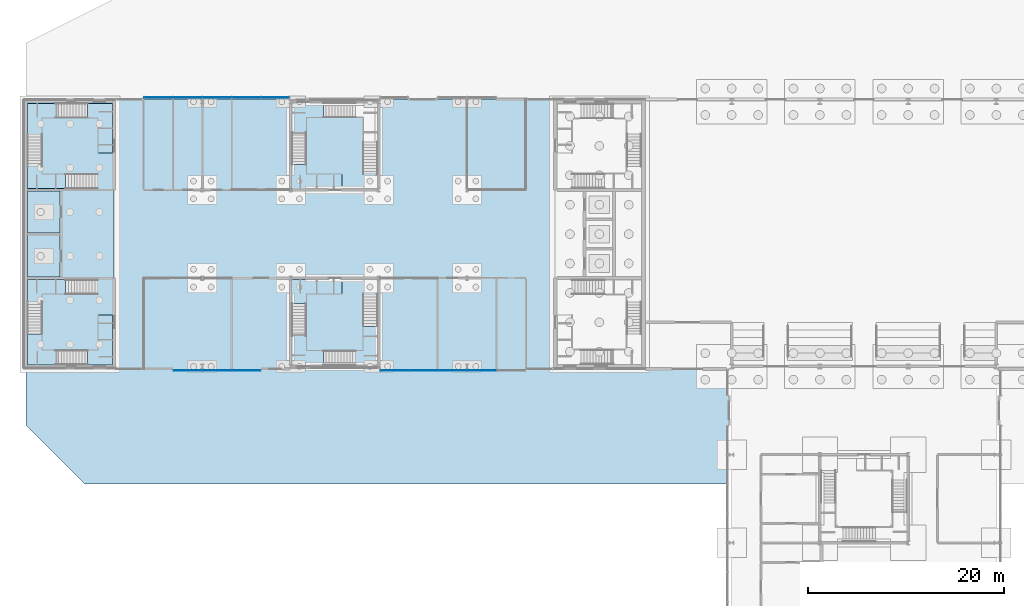
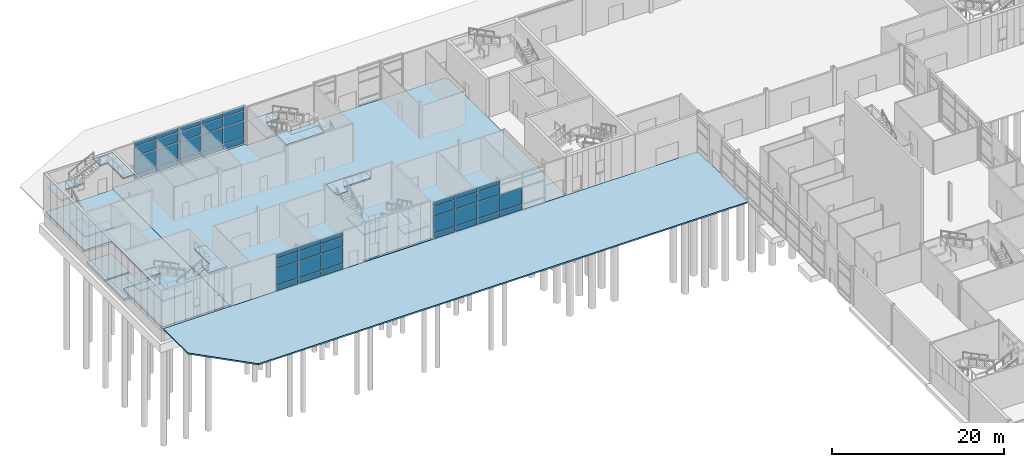
# One storey, part 21 of 45: 46 plates, 16 slabs, 7 elements without a shape of their own.
"""IFC4 building model written with IfcOpenShell, lengths in metres."""

from ifc_helpers import new_model, si_unit, direction, frame, origin, origin_2d, place, context, subcontext, project, spatial, polyline, rectangle, outline, extrude, material, layer, layer_set, type_object, element, aggregate, save


model = new_model("IFC4")

# Units and contexts
model_context = context("Model", 3, precision=1e-05, world=origin(), true_north=direction((0.0, 1.0)))
body_context = subcontext(model_context, "Body", "Model", "MODEL_VIEW")
ifc_project = project(units=[si_unit("LENGTHUNIT", "METRE"), si_unit("AREAUNIT", "SQUARE_METRE"), si_unit("VOLUMEUNIT", "CUBIC_METRE"), si_unit("PLANEANGLEUNIT", "RADIAN"), si_unit("MASSUNIT", "GRAM", prefix="KILO")], contexts=[model_context])

# Site, building, storey
site_placement = place(None, origin())
site = spatial("IfcSite", under=ifc_project, at=site_placement, CompositionType="ELEMENT")
building_placement = place(site_placement, origin())
building = spatial("IfcBuilding", under=site, at=building_placement, Name="Azimuth Sports and Learning Centre", CompositionType="ELEMENT")
storey_placement = place(building_placement, origin())
storey = spatial("IfcBuildingStorey", under=building, at=storey_placement, Name="L00", CompositionType="ELEMENT", Elevation=0.0)

# Stair, slabs
ifc_material_1 = material(Name="Concrete C32/40", Category="concrete")
stair_type_1 = type_object("IfcStairType", Name="Square-well stair end core 5400 storey", PredefinedType="THREE_QUARTER_TURN_STAIR", material=ifc_material_1)
stair_1_placement = place(storey_placement, origin())
stair_1 = element("IfcStair", 1, at=stair_1_placement, inside=storey, type_object=stair_type_1, Name="Stair WW1 L00-L01", PredefinedType="THREE_QUARTER_TURN_STAIR")
ifc_material_2 = material(Name="Concrete C32/40", Category="concrete")
ifc_layer_1 = layer(ifc_material_2, 0.199951171875)
ifc_layer_set_1 = layer_set([ifc_layer_1], Name="Concrete C32/40")
slab_type_1 = type_object("IfcSlabType", Name="Concrete stair landing", PredefinedType="LANDING", material=ifc_layer_set_1)
slab_1_placement = place(storey_placement, frame((0.0, 0.0, 1.60009765625)))
slab_1 = element("IfcSlab", 2, at=slab_1_placement, type_object=slab_type_1, Name="Stair WW1 L00 landing 1", PredefinedType="LANDING", context=body_context, shape_type="SweptSolid", body=[
    extrude(outline(polyline([(1.659912109375, 97.364990234375), (4.040771484375, 97.364990234375), (4.040771484375, 98.864990234375), (0.159912109375, 98.864990234375), (0.159912109375, 95.514892578125), (1.659912109375, 95.514892578125), (1.659912109375, 97.364990234375)])), origin(), (0.0, 0.0, 1.0), 0.199951171875),
])
slab_2_placement = place(storey_placement, frame((0.0, 0.0, 3.39990234375)))
slab_2 = element("IfcSlab", 3, at=slab_2_placement, type_object=slab_type_1, Name="Stair WW1 L00 landing 2", PredefinedType="LANDING", context=body_context, shape_type="SweptSolid", body=[
    extrude(outline(polyline([(1.659912109375, 91.659912109375), (1.659912109375, 93.315673828125), (0.159912109375, 93.315673828125), (0.159912109375, 90.159912109375), (4.110107421875, 90.159912109375), (4.110107421875, 91.659912109375), (1.659912109375, 91.659912109375)])), origin(), (0.0, 0.0, 1.0), 0.2001953125),
])
slab_3_placement = place(storey_placement, frame((0.0, 0.0, 5.199951171875)))
slab_3 = element("IfcSlab", 4, at=slab_3_placement, type_object=slab_type_1, Name="Stair WW1 L00 landing 3", PredefinedType="LANDING", context=body_context, shape_type="SweptSolid", body=[
    extrude(outline(polyline([(7.340087890625, 91.659912109375), (6.309326171875, 91.659912109375), (6.309326171875, 90.159912109375), (8.840087890625, 90.159912109375), (8.840087890625, 95.25), (7.340087890625, 95.25), (7.340087890625, 91.659912109375)])), origin(), (0.0, 0.0, 1.0), 0.199951171875),
])
aggregate(stair_1, [slab_1, slab_2, slab_3])

stair_2_placement = place(storey_placement, origin())
stair_2 = element("IfcStair", 5, at=stair_2_placement, inside=storey, type_object=stair_type_1, Name="Stair WW2 L00-L01", PredefinedType="THREE_QUARTER_TURN_STAIR")
slab_4_placement = place(storey_placement, frame((0.0, 0.0, 1.60009765625)))
slab_4 = element("IfcSlab", 6, at=slab_4_placement, type_object=slab_type_1, Name="Stair WW2 L00 landing 1", PredefinedType="LANDING", context=body_context, shape_type="SweptSolid", body=[
    extrude(outline(polyline([(1.659912109375, 109.635009765625), (1.659912109375, 111.485107421875), (0.159912109375, 111.485107421875), (0.159912109375, 108.135009765625), (4.040771484375, 108.135009765625), (4.040771484375, 109.635009765625), (1.659912109375, 109.635009765625)])), origin(), (0.0, 0.0, 1.0), 0.199951171875),
])
slab_5_placement = place(storey_placement, frame((0.0, 0.0, 3.39990234375)))
slab_5 = element("IfcSlab", 7, at=slab_5_placement, type_object=slab_type_1, Name="Stair WW2 L00 landing 2", PredefinedType="LANDING", context=body_context, shape_type="SweptSolid", body=[
    extrude(outline(polyline([(1.659912109375, 115.340087890625), (4.110107421875, 115.340087890625), (4.110107421875, 116.840087890625), (0.159912109375, 116.840087890625), (0.159912109375, 113.684326171875), (1.659912109375, 113.684326171875), (1.659912109375, 115.340087890625)])), origin(), (0.0, 0.0, 1.0), 0.2001953125),
])
slab_6_placement = place(storey_placement, frame((0.0, 0.0, 5.199951171875)))
slab_6 = element("IfcSlab", 8, at=slab_6_placement, type_object=slab_type_1, Name="Stair WW2 L00 landing 3", PredefinedType="LANDING", context=body_context, shape_type="SweptSolid", body=[
    extrude(outline(polyline([(7.340087890625, 115.340087890625), (7.340087890625, 111.75), (8.840087890625, 111.75), (8.840087890625, 116.840087890625), (6.309326171875, 116.840087890625), (6.309326171875, 115.340087890625), (7.340087890625, 115.340087890625)])), origin(), (0.0, 0.0, 1.0), 0.199951171875),
])
aggregate(stair_2, [slab_4, slab_5, slab_6])

ifc_material_3 = material(Name="Concrete C32/40", Category="concrete")
stair_type_2 = type_object("IfcStairType", Name="Square-well stair mid-wing cell 5400 storey", PredefinedType="THREE_QUARTER_TURN_STAIR", material=ifc_material_3)
stair_3_placement = place(storey_placement, origin())
stair_3 = element("IfcStair", 9, at=stair_3_placement, inside=storey, type_object=stair_type_2, Name="Stair WM1 L00-L01", PredefinedType="THREE_QUARTER_TURN_STAIR")
slab_7_placement = place(storey_placement, frame((0.0, 0.0, 1.60009765625)))
slab_7 = element("IfcSlab", 10, at=slab_7_placement, type_object=slab_type_1, Name="Stair WM1 L00 landing 1", PredefinedType="LANDING", context=body_context, shape_type="SweptSolid", body=[
    extrude(outline(polyline([(34.389892578125, 91.610107421875), (32.5400390625, 91.610107421875), (32.5400390625, 90.110107421875), (35.889892578125, 90.110107421875), (35.889892578125, 94.0908203125), (34.389892578125, 94.0908203125), (34.389892578125, 91.610107421875)])), origin(), (0.0, 0.0, 1.0), 0.199951171875),
])
slab_8_placement = place(storey_placement, frame((0.0, 0.0, 3.39990234375)))
slab_8 = element("IfcSlab", 11, at=slab_8_placement, type_object=slab_type_1, Name="Stair WM1 L00 landing 2", PredefinedType="LANDING", context=body_context, shape_type="SweptSolid", body=[
    extrude(outline(polyline([(28.610107421875, 91.610107421875), (28.610107421875, 94.2099609375), (27.110107421875, 94.2099609375), (27.110107421875, 90.110107421875), (30.3408203125, 90.110107421875), (30.3408203125, 91.610107421875), (28.610107421875, 91.610107421875)])), origin(), (0.0, 0.0, 1.0), 0.2001953125),
])
slab_9_placement = place(storey_placement, frame((0.0, 0.0, 5.199951171875)))
slab_9 = element("IfcSlab", 12, at=slab_9_placement, type_object=slab_type_1, Name="Stair WM1 L00 landing 3", PredefinedType="LANDING", context=body_context, shape_type="SweptSolid", body=[
    extrude(outline(polyline([(28.610107421875, 97.389892578125), (32.25, 97.389892578125), (32.25, 98.889892578125), (27.110107421875, 98.889892578125), (27.110107421875, 96.4091796875), (28.610107421875, 96.4091796875), (28.610107421875, 97.389892578125)])), origin(), (0.0, 0.0, 1.0), 0.199951171875),
])
aggregate(stair_3, [slab_7, slab_8, slab_9])

stair_4_placement = place(storey_placement, origin())
stair_4 = element("IfcStair", 13, at=stair_4_placement, inside=storey, type_object=stair_type_2, Name="Stair WM2 L00-L01", PredefinedType="THREE_QUARTER_TURN_STAIR")
slab_10_placement = place(storey_placement, frame((0.0, 0.0, 3.39990234375)))
slab_10 = element("IfcSlab", 14, at=slab_10_placement, type_object=slab_type_1, Name="Stair WM2 L00 landing 2", PredefinedType="LANDING", context=body_context, shape_type="SweptSolid", body=[
    extrude(outline(polyline([(28.610107421875, 115.389892578125), (30.3408203125, 115.389892578125), (30.3408203125, 116.889892578125), (27.110107421875, 116.889892578125), (27.110107421875, 112.7900390625), (28.610107421875, 112.7900390625), (28.610107421875, 115.389892578125)])), origin(), (0.0, 0.0, 1.0), 0.2001953125),
])
slab_11_placement = place(storey_placement, frame((0.0, 0.0, 5.199951171875)))
slab_11 = element("IfcSlab", 15, at=slab_11_placement, type_object=slab_type_1, Name="Stair WM2 L00 landing 3", PredefinedType="LANDING", context=body_context, shape_type="SweptSolid", body=[
    extrude(outline(polyline([(28.610107421875, 109.610107421875), (28.610107421875, 110.5908203125), (27.110107421875, 110.5908203125), (27.110107421875, 108.110107421875), (32.25, 108.110107421875), (32.25, 109.610107421875), (28.610107421875, 109.610107421875)])), origin(), (0.0, 0.0, 1.0), 0.199951171875),
])
aggregate(stair_4, [slab_10, slab_11])

# Slabs
ifc_material_4 = material(Name="Concrete C30/37", Category="concrete")
ifc_layer_2 = layer(ifc_material_4, 0.300048828125)
ifc_layer_set_2 = layer_set([ifc_layer_2], Name="Concrete C30/37")
slab_type_2 = type_object("IfcSlabType", Name="Core ground slab 300", PredefinedType="BASESLAB", material=ifc_layer_set_2)
slab_12_placement = place(storey_placement, frame((0.0, 0.0, -0.300048828125)))
element("IfcSlab", 16, at=slab_12_placement, inside=storey, type_object=slab_type_2, Name="Slab West end core L00", PredefinedType="BASESLAB", context=body_context, shape_type="SweptSolid", body=[
    extrude(outline(polyline([(0.0, 90.0), (9.0, 90.0), (9.0, 117.0), (0.0, 117.0), (0.0, 108.0), (3.60009765625, 108.0), (3.60009765625, 99.0), (0.0, 99.0), (0.0, 90.0)])), origin(), (0.0, 0.0, 1.0), 0.300048828125),
])
ifc_material_5 = material(Name="Concrete C32/40", Category="concrete")
ifc_layer_3 = layer(ifc_material_5, 0.300048828125)
ifc_layer_set_3 = layer_set([ifc_layer_3], Name="Concrete C32/40")
slab_type_3 = type_object("IfcSlabType", Name="Lift pit slab 300", PredefinedType="BASESLAB", material=ifc_layer_set_3)
slab_13_placement = place(storey_placement, frame((0.0, 0.0, -1.89990234375)))
element("IfcSlab", 17, at=slab_13_placement, inside=storey, type_object=slab_type_3, Name="Lift pit floor LWW1", PredefinedType="BASESLAB", context=body_context, shape_type="SweptSolid", body=[
    extrude(outline(polyline([(0.14990234375, 99.125), (3.47509765625, 99.125), (3.47509765625, 103.39990234375), (0.14990234375, 103.39990234375), (0.14990234375, 99.125)])), origin(), (0.0, 0.0, 1.0), 0.2998046875),
])
slab_14_placement = place(storey_placement, frame((0.0, 0.0, -1.89990234375)))
element("IfcSlab", 18, at=slab_14_placement, inside=storey, type_object=slab_type_3, Name="Lift pit floor LWW2", PredefinedType="BASESLAB", context=body_context, shape_type="SweptSolid", body=[
    extrude(outline(polyline([(0.14990234375, 103.60009765625), (3.47509765625, 103.60009765625), (3.47509765625, 107.875), (0.14990234375, 107.875), (0.14990234375, 103.60009765625)])), origin(), (0.0, 0.0, 1.0), 0.2998046875),
])
ifc_material_6 = material(Name="Concrete C25/30", Category="concrete")
ifc_layer_4 = layer(ifc_material_6, 0.199951171875)
ifc_layer_set_4 = layer_set([ifc_layer_4], Name="Concrete C25/30")
slab_type_4 = type_object("IfcSlabType", Name="Paving slab 200", PredefinedType="USERDEFINED", material=ifc_layer_set_4)
slab_15_placement = place(storey_placement, frame((0.0, 0.0, -0.199951171875)))
element("IfcSlab", 19, at=slab_15_placement, inside=storey, type_object=slab_type_4, Name="Slab South-west paving L00", ObjectType="PAVING", PredefinedType="USERDEFINED", context=body_context, shape_type="SweptSolid", body=[
    extrude(outline(polyline([(6.0, 78.0), (71.699951171875, 78.0), (71.699951171875, 89.699951171875), (0.0, 89.699951171875), (0.0, 84.0), (6.0, 78.0)])), origin(), (0.0, 0.0, 1.0), 0.199951171875),
])

# Curtain wall, plates
ifc_material_7 = material(Name="Aluminium and glass", Category="aluminium")
curtain_wall_type = type_object("IfcCurtainWallType", Name="Curtain wall podium wing 240", PredefinedType="NOTDEFINED", material=ifc_material_7)
curtain_wall_1_placement = place(storey_placement, origin())
curtain_wall_1 = element("IfcCurtainWall", 20, at=curtain_wall_1_placement, inside=storey, type_object=curtain_wall_type, Name="Curtain wall CW00-001", PredefinedType="NOTDEFINED")
ifc_material_8 = material(Name="Insulated aluminium panel", Category="aluminium")
ifc_layer_5 = layer(ifc_material_8, 0.06005859375)
ifc_layer_set_5 = layer_set([ifc_layer_5], Name="Insulated aluminium panel")
plate_type_1 = type_object("IfcPlateType", Name="Spandrel panel 60 mm", PredefinedType="CURTAIN_PANEL", material=ifc_layer_set_5)
plate_1_placement = place(storey_placement, frame((16.52001953125, 89.580078125, 0.1201171875), z_axis=(0.0, 0.0, 1.0), x_axis=(1.0, 0.0, 0.0)))
plate_1 = element("IfcPlate", 21, at=plate_1_placement, type_object=plate_type_1, Name="CW00-001 panel 1.1", PredefinedType="CURTAIN_PANEL", context=body_context, shape_type="SweptSolid", body=[
    extrude(rectangle(XDim=2.8798828125, YDim=0.06005859375, at=origin_2d()), origin(), (0.0, 0.0, 1.0), 0.719970703125),
])
plate_2_placement = place(storey_placement, frame((16.52001953125, 89.580078125, 4.760009765625), z_axis=(0.0, 0.0, 1.0), x_axis=(1.0, 0.0, 0.0)))
plate_2 = element("IfcPlate", 22, at=plate_2_placement, type_object=plate_type_1, Name="CW00-001 panel 1.4", PredefinedType="CURTAIN_PANEL", context=body_context, shape_type="SweptSolid", body=[
    extrude(rectangle(XDim=2.8798828125, YDim=0.06005859375, at=origin_2d()), origin(), (0.0, 0.0, 1.0), 0.52001953125),
])
plate_3_placement = place(storey_placement, frame((19.5, 89.580078125, 0.1201171875), z_axis=(0.0, 0.0, 1.0), x_axis=(1.0, 0.0, 0.0)))
plate_3 = element("IfcPlate", 23, at=plate_3_placement, type_object=plate_type_1, Name="CW00-001 panel 2.1", PredefinedType="CURTAIN_PANEL", context=body_context, shape_type="SweptSolid", body=[
    extrude(rectangle(XDim=2.919921875, YDim=0.06005859375, at=origin_2d()), origin(), (0.0, 0.0, 1.0), 0.719970703125),
])
plate_4_placement = place(storey_placement, frame((19.5, 89.580078125, 4.760009765625), z_axis=(0.0, 0.0, 1.0), x_axis=(1.0, 0.0, 0.0)))
plate_4 = element("IfcPlate", 24, at=plate_4_placement, type_object=plate_type_1, Name="CW00-001 panel 2.4", PredefinedType="CURTAIN_PANEL", context=body_context, shape_type="SweptSolid", body=[
    extrude(rectangle(XDim=2.919921875, YDim=0.06005859375, at=origin_2d()), origin(), (0.0, 0.0, 1.0), 0.52001953125),
])
plate_5_placement = place(storey_placement, frame((22.47998046875, 89.580078125, 0.1201171875), z_axis=(0.0, 0.0, 1.0), x_axis=(1.0, 0.0, 0.0)))
plate_5 = element("IfcPlate", 25, at=plate_5_placement, type_object=plate_type_1, Name="CW00-001 panel 3.1", PredefinedType="CURTAIN_PANEL", context=body_context, shape_type="SweptSolid", body=[
    extrude(rectangle(XDim=2.8798828125, YDim=0.06005859375, at=origin_2d()), origin(), (0.0, 0.0, 1.0), 0.719970703125),
])
plate_6_placement = place(storey_placement, frame((22.47998046875, 89.580078125, 4.760009765625), z_axis=(0.0, 0.0, 1.0), x_axis=(1.0, 0.0, 0.0)))
plate_6 = element("IfcPlate", 26, at=plate_6_placement, type_object=plate_type_1, Name="CW00-001 panel 3.4", PredefinedType="CURTAIN_PANEL", context=body_context, shape_type="SweptSolid", body=[
    extrude(rectangle(XDim=2.8798828125, YDim=0.06005859375, at=origin_2d()), origin(), (0.0, 0.0, 1.0), 0.52001953125),
])

curtain_wall_2_placement = place(storey_placement, origin())
curtain_wall_2 = element("IfcCurtainWall", 27, at=curtain_wall_2_placement, inside=storey, type_object=curtain_wall_type, Name="Curtain wall CW00-002", PredefinedType="NOTDEFINED")
plate_7_placement = place(storey_placement, frame((37.570068359375, 89.580078125, 0.1201171875), z_axis=(0.0, 0.0, 1.0), x_axis=(1.0, 0.0, 0.0)))
plate_7 = element("IfcPlate", 28, at=plate_7_placement, type_object=plate_type_1, Name="CW00-002 panel 1.1", PredefinedType="CURTAIN_PANEL", context=body_context, shape_type="SweptSolid", body=[
    extrude(rectangle(XDim=2.780029296875, YDim=0.06005859375, at=origin_2d()), origin(), (0.0, 0.0, 1.0), 0.719970703125),
])
plate_8_placement = place(storey_placement, frame((37.570068359375, 89.580078125, 4.760009765625), z_axis=(0.0, 0.0, 1.0), x_axis=(1.0, 0.0, 0.0)))
plate_8 = element("IfcPlate", 29, at=plate_8_placement, type_object=plate_type_1, Name="CW00-002 panel 1.4", PredefinedType="CURTAIN_PANEL", context=body_context, shape_type="SweptSolid", body=[
    extrude(rectangle(XDim=2.780029296875, YDim=0.06005859375, at=origin_2d()), origin(), (0.0, 0.0, 1.0), 0.52001953125),
])
plate_9_placement = place(storey_placement, frame((40.5, 89.580078125, 0.1201171875), z_axis=(0.0, 0.0, 1.0), x_axis=(1.0, 0.0, 0.0)))
plate_9 = element("IfcPlate", 30, at=plate_9_placement, type_object=plate_type_1, Name="CW00-002 panel 2.1", PredefinedType="CURTAIN_PANEL", context=body_context, shape_type="SweptSolid", body=[
    extrude(rectangle(XDim=2.919921875, YDim=0.06005859375, at=origin_2d()), origin(), (0.0, 0.0, 1.0), 0.719970703125),
])
plate_10_placement = place(storey_placement, frame((40.5, 89.580078125, 4.760009765625), z_axis=(0.0, 0.0, 1.0), x_axis=(1.0, 0.0, 0.0)))
plate_10 = element("IfcPlate", 31, at=plate_10_placement, type_object=plate_type_1, Name="CW00-002 panel 2.4", PredefinedType="CURTAIN_PANEL", context=body_context, shape_type="SweptSolid", body=[
    extrude(rectangle(XDim=2.919921875, YDim=0.06005859375, at=origin_2d()), origin(), (0.0, 0.0, 1.0), 0.52001953125),
])
plate_11_placement = place(storey_placement, frame((43.5, 89.580078125, 0.1201171875), z_axis=(0.0, 0.0, 1.0), x_axis=(1.0, 0.0, 0.0)))
plate_11 = element("IfcPlate", 32, at=plate_11_placement, type_object=plate_type_1, Name="CW00-002 panel 3.1", PredefinedType="CURTAIN_PANEL", context=body_context, shape_type="SweptSolid", body=[
    extrude(rectangle(XDim=2.919921875, YDim=0.06005859375, at=origin_2d()), origin(), (0.0, 0.0, 1.0), 0.719970703125),
])
plate_12_placement = place(storey_placement, frame((43.5, 89.580078125, 4.760009765625), z_axis=(0.0, 0.0, 1.0), x_axis=(1.0, 0.0, 0.0)))
plate_12 = element("IfcPlate", 33, at=plate_12_placement, type_object=plate_type_1, Name="CW00-002 panel 3.4", PredefinedType="CURTAIN_PANEL", context=body_context, shape_type="SweptSolid", body=[
    extrude(rectangle(XDim=2.919921875, YDim=0.06005859375, at=origin_2d()), origin(), (0.0, 0.0, 1.0), 0.52001953125),
])
plate_13_placement = place(storey_placement, frame((46.5, 89.580078125, 0.1201171875), z_axis=(0.0, 0.0, 1.0), x_axis=(1.0, 0.0, 0.0)))
plate_13 = element("IfcPlate", 34, at=plate_13_placement, type_object=plate_type_1, Name="CW00-002 panel 4.1", PredefinedType="CURTAIN_PANEL", context=body_context, shape_type="SweptSolid", body=[
    extrude(rectangle(XDim=2.919921875, YDim=0.06005859375, at=origin_2d()), origin(), (0.0, 0.0, 1.0), 0.719970703125),
])

curtain_wall_3_placement = place(storey_placement, origin())
curtain_wall_3 = element("IfcCurtainWall", 35, at=curtain_wall_3_placement, inside=storey, type_object=curtain_wall_type, Name="Curtain wall CW00-016", PredefinedType="NOTDEFINED")
plate_14_placement = place(storey_placement, frame((25.429931640625, 117.419921875, 0.1201171875), z_axis=(0.0, 0.0, 1.0), x_axis=(-1.0, 0.0, 0.0)))
plate_14 = element("IfcPlate", 36, at=plate_14_placement, type_object=plate_type_1, Name="CW00-016 panel 1.1", PredefinedType="CURTAIN_PANEL", context=body_context, shape_type="SweptSolid", body=[
    extrude(rectangle(XDim=2.780029296875, YDim=0.06005859375, at=origin_2d()), origin(), (0.0, 0.0, 1.0), 0.719970703125),
])
plate_15_placement = place(storey_placement, frame((25.429931640625, 117.419921875, 4.760009765625), z_axis=(0.0, 0.0, 1.0), x_axis=(-1.0, 0.0, 0.0)))
plate_15 = element("IfcPlate", 37, at=plate_15_placement, type_object=plate_type_1, Name="CW00-016 panel 1.4", PredefinedType="CURTAIN_PANEL", context=body_context, shape_type="SweptSolid", body=[
    extrude(rectangle(XDim=2.780029296875, YDim=0.06005859375, at=origin_2d()), origin(), (0.0, 0.0, 1.0), 0.52001953125),
])
plate_16_placement = place(storey_placement, frame((22.5, 117.419921875, 0.1201171875), z_axis=(0.0, 0.0, 1.0), x_axis=(-1.0, 0.0, 0.0)))
plate_16 = element("IfcPlate", 38, at=plate_16_placement, type_object=plate_type_1, Name="CW00-016 panel 2.1", PredefinedType="CURTAIN_PANEL", context=body_context, shape_type="SweptSolid", body=[
    extrude(rectangle(XDim=2.919921875, YDim=0.06005859375, at=origin_2d()), origin(), (0.0, 0.0, 1.0), 0.719970703125),
])
plate_17_placement = place(storey_placement, frame((22.5, 117.419921875, 4.760009765625), z_axis=(0.0, 0.0, 1.0), x_axis=(-1.0, 0.0, 0.0)))
plate_17 = element("IfcPlate", 39, at=plate_17_placement, type_object=plate_type_1, Name="CW00-016 panel 2.4", PredefinedType="CURTAIN_PANEL", context=body_context, shape_type="SweptSolid", body=[
    extrude(rectangle(XDim=2.919921875, YDim=0.06005859375, at=origin_2d()), origin(), (0.0, 0.0, 1.0), 0.52001953125),
])
plate_18_placement = place(storey_placement, frame((19.5, 117.419921875, 0.1201171875), z_axis=(0.0, 0.0, 1.0), x_axis=(-1.0, 0.0, 0.0)))
plate_18 = element("IfcPlate", 40, at=plate_18_placement, type_object=plate_type_1, Name="CW00-016 panel 3.1", PredefinedType="CURTAIN_PANEL", context=body_context, shape_type="SweptSolid", body=[
    extrude(rectangle(XDim=2.919921875, YDim=0.06005859375, at=origin_2d()), origin(), (0.0, 0.0, 1.0), 0.719970703125),
])
plate_19_placement = place(storey_placement, frame((19.5, 117.419921875, 4.760009765625), z_axis=(0.0, 0.0, 1.0), x_axis=(-1.0, 0.0, 0.0)))
plate_19 = element("IfcPlate", 41, at=plate_19_placement, type_object=plate_type_1, Name="CW00-016 panel 3.4", PredefinedType="CURTAIN_PANEL", context=body_context, shape_type="SweptSolid", body=[
    extrude(rectangle(XDim=2.919921875, YDim=0.06005859375, at=origin_2d()), origin(), (0.0, 0.0, 1.0), 0.52001953125),
])
plate_20_placement = place(storey_placement, frame((16.5, 117.419921875, 0.1201171875), z_axis=(0.0, 0.0, 1.0), x_axis=(-1.0, 0.0, 0.0)))
plate_20 = element("IfcPlate", 42, at=plate_20_placement, type_object=plate_type_1, Name="CW00-016 panel 4.1", PredefinedType="CURTAIN_PANEL", context=body_context, shape_type="SweptSolid", body=[
    extrude(rectangle(XDim=2.919921875, YDim=0.06005859375, at=origin_2d()), origin(), (0.0, 0.0, 1.0), 0.719970703125),
])
plate_21_placement = place(storey_placement, frame((16.5, 117.419921875, 4.760009765625), z_axis=(0.0, 0.0, 1.0), x_axis=(-1.0, 0.0, 0.0)))
plate_21 = element("IfcPlate", 43, at=plate_21_placement, type_object=plate_type_1, Name="CW00-016 panel 4.4", PredefinedType="CURTAIN_PANEL", context=body_context, shape_type="SweptSolid", body=[
    extrude(rectangle(XDim=2.919921875, YDim=0.06005859375, at=origin_2d()), origin(), (0.0, 0.0, 1.0), 0.52001953125),
])
plate_22_placement = place(storey_placement, frame((13.52001953125, 117.419921875, 0.1201171875), z_axis=(0.0, 0.0, 1.0), x_axis=(-1.0, 0.0, 0.0)))
plate_22 = element("IfcPlate", 44, at=plate_22_placement, type_object=plate_type_1, Name="CW00-016 panel 5.1", PredefinedType="CURTAIN_PANEL", context=body_context, shape_type="SweptSolid", body=[
    extrude(rectangle(XDim=2.8798828125, YDim=0.06005859375, at=origin_2d()), origin(), (0.0, 0.0, 1.0), 0.719970703125),
])
plate_23_placement = place(storey_placement, frame((13.52001953125, 117.419921875, 4.760009765625), z_axis=(0.0, 0.0, 1.0), x_axis=(-1.0, 0.0, 0.0)))
plate_23 = element("IfcPlate", 45, at=plate_23_placement, type_object=plate_type_1, Name="CW00-016 panel 5.4", PredefinedType="CURTAIN_PANEL", context=body_context, shape_type="SweptSolid", body=[
    extrude(rectangle(XDim=2.8798828125, YDim=0.06005859375, at=origin_2d()), origin(), (0.0, 0.0, 1.0), 0.52001953125),
])

# Plate
ifc_material_9 = material(Name="Glass", Category="glass")
ifc_layer_6 = layer(ifc_material_9, 0.0439453125)
ifc_layer_set_6 = layer_set([ifc_layer_6], Name="Glass")
plate_type_2 = type_object("IfcPlateType", Name="Vision glass 44 mm", PredefinedType="CURTAIN_PANEL", material=ifc_layer_set_6)
plate_24_placement = place(storey_placement, frame((16.52001953125, 89.580078125, 0.9599609375), z_axis=(0.0, 0.0, 1.0), x_axis=(1.0, 0.0, 0.0)))
plate_24 = element("IfcPlate", 46, at=plate_24_placement, type_object=plate_type_2, Name="CW00-001 panel 1.2", PredefinedType="CURTAIN_PANEL", context=body_context, shape_type="SweptSolid", body=[
    extrude(rectangle(XDim=2.8798828125, YDim=0.0439453125, at=origin_2d()), origin(), (0.0, 0.0, 1.0), 2.280029296875),
])

plate_25_placement = place(storey_placement, frame((16.52001953125, 89.580078125, 3.35986328125), z_axis=(0.0, 0.0, 1.0), x_axis=(1.0, 0.0, 0.0)))
plate_25 = element("IfcPlate", 47, at=plate_25_placement, type_object=plate_type_2, Name="CW00-001 panel 1.3", PredefinedType="CURTAIN_PANEL", context=body_context, shape_type="SweptSolid", body=[
    extrude(rectangle(XDim=2.8798828125, YDim=0.0439453125, at=origin_2d()), origin(), (0.0, 0.0, 1.0), 1.280029296875),
])

plate_26_placement = place(storey_placement, frame((19.5, 89.580078125, 0.9599609375), z_axis=(0.0, 0.0, 1.0), x_axis=(1.0, 0.0, 0.0)))
plate_26 = element("IfcPlate", 48, at=plate_26_placement, type_object=plate_type_2, Name="CW00-001 panel 2.2", PredefinedType="CURTAIN_PANEL", context=body_context, shape_type="SweptSolid", body=[
    extrude(rectangle(XDim=2.919921875, YDim=0.0439453125, at=origin_2d()), origin(), (0.0, 0.0, 1.0), 2.280029296875),
])

plate_27_placement = place(storey_placement, frame((19.5, 89.580078125, 3.35986328125), z_axis=(0.0, 0.0, 1.0), x_axis=(1.0, 0.0, 0.0)))
plate_27 = element("IfcPlate", 49, at=plate_27_placement, type_object=plate_type_2, Name="CW00-001 panel 2.3", PredefinedType="CURTAIN_PANEL", context=body_context, shape_type="SweptSolid", body=[
    extrude(rectangle(XDim=2.919921875, YDim=0.0439453125, at=origin_2d()), origin(), (0.0, 0.0, 1.0), 1.280029296875),
])

plate_28_placement = place(storey_placement, frame((22.47998046875, 89.580078125, 0.9599609375), z_axis=(0.0, 0.0, 1.0), x_axis=(1.0, 0.0, 0.0)))
plate_28 = element("IfcPlate", 50, at=plate_28_placement, type_object=plate_type_2, Name="CW00-001 panel 3.2", PredefinedType="CURTAIN_PANEL", context=body_context, shape_type="SweptSolid", body=[
    extrude(rectangle(XDim=2.8798828125, YDim=0.0439453125, at=origin_2d()), origin(), (0.0, 0.0, 1.0), 2.280029296875),
])

plate_29_placement = place(storey_placement, frame((22.47998046875, 89.580078125, 3.35986328125), z_axis=(0.0, 0.0, 1.0), x_axis=(1.0, 0.0, 0.0)))
plate_29 = element("IfcPlate", 51, at=plate_29_placement, type_object=plate_type_2, Name="CW00-001 panel 3.3", PredefinedType="CURTAIN_PANEL", context=body_context, shape_type="SweptSolid", body=[
    extrude(rectangle(XDim=2.8798828125, YDim=0.0439453125, at=origin_2d()), origin(), (0.0, 0.0, 1.0), 1.280029296875),
])

aggregate(curtain_wall_1, [plate_1, plate_24, plate_25, plate_2, plate_3, plate_26, plate_27, plate_4, plate_5, plate_28, plate_29, plate_6])

plate_30_placement = place(storey_placement, frame((37.570068359375, 89.580078125, 0.9599609375), z_axis=(0.0, 0.0, 1.0), x_axis=(1.0, 0.0, 0.0)))
plate_30 = element("IfcPlate", 52, at=plate_30_placement, type_object=plate_type_2, Name="CW00-002 panel 1.2", PredefinedType="CURTAIN_PANEL", context=body_context, shape_type="SweptSolid", body=[
    extrude(rectangle(XDim=2.780029296875, YDim=0.0439453125, at=origin_2d()), origin(), (0.0, 0.0, 1.0), 2.280029296875),
])

plate_31_placement = place(storey_placement, frame((37.570068359375, 89.580078125, 3.35986328125), z_axis=(0.0, 0.0, 1.0), x_axis=(1.0, 0.0, 0.0)))
plate_31 = element("IfcPlate", 53, at=plate_31_placement, type_object=plate_type_2, Name="CW00-002 panel 1.3", PredefinedType="CURTAIN_PANEL", context=body_context, shape_type="SweptSolid", body=[
    extrude(rectangle(XDim=2.780029296875, YDim=0.0439453125, at=origin_2d()), origin(), (0.0, 0.0, 1.0), 1.280029296875),
])

plate_32_placement = place(storey_placement, frame((40.5, 89.580078125, 0.9599609375), z_axis=(0.0, 0.0, 1.0), x_axis=(1.0, 0.0, 0.0)))
plate_32 = element("IfcPlate", 54, at=plate_32_placement, type_object=plate_type_2, Name="CW00-002 panel 2.2", PredefinedType="CURTAIN_PANEL", context=body_context, shape_type="SweptSolid", body=[
    extrude(rectangle(XDim=2.919921875, YDim=0.0439453125, at=origin_2d()), origin(), (0.0, 0.0, 1.0), 2.280029296875),
])

plate_33_placement = place(storey_placement, frame((40.5, 89.580078125, 3.35986328125), z_axis=(0.0, 0.0, 1.0), x_axis=(1.0, 0.0, 0.0)))
plate_33 = element("IfcPlate", 55, at=plate_33_placement, type_object=plate_type_2, Name="CW00-002 panel 2.3", PredefinedType="CURTAIN_PANEL", context=body_context, shape_type="SweptSolid", body=[
    extrude(rectangle(XDim=2.919921875, YDim=0.0439453125, at=origin_2d()), origin(), (0.0, 0.0, 1.0), 1.280029296875),
])

plate_34_placement = place(storey_placement, frame((43.5, 89.580078125, 0.9599609375), z_axis=(0.0, 0.0, 1.0), x_axis=(1.0, 0.0, 0.0)))
plate_34 = element("IfcPlate", 56, at=plate_34_placement, type_object=plate_type_2, Name="CW00-002 panel 3.2", PredefinedType="CURTAIN_PANEL", context=body_context, shape_type="SweptSolid", body=[
    extrude(rectangle(XDim=2.919921875, YDim=0.0439453125, at=origin_2d()), origin(), (0.0, 0.0, 1.0), 2.280029296875),
])

plate_35_placement = place(storey_placement, frame((43.5, 89.580078125, 3.35986328125), z_axis=(0.0, 0.0, 1.0), x_axis=(1.0, 0.0, 0.0)))
plate_35 = element("IfcPlate", 57, at=plate_35_placement, type_object=plate_type_2, Name="CW00-002 panel 3.3", PredefinedType="CURTAIN_PANEL", context=body_context, shape_type="SweptSolid", body=[
    extrude(rectangle(XDim=2.919921875, YDim=0.0439453125, at=origin_2d()), origin(), (0.0, 0.0, 1.0), 1.280029296875),
])

plate_36_placement = place(storey_placement, frame((46.5, 89.580078125, 0.9599609375), z_axis=(0.0, 0.0, 1.0), x_axis=(1.0, 0.0, 0.0)))
plate_36 = element("IfcPlate", 58, at=plate_36_placement, type_object=plate_type_2, Name="CW00-002 panel 4.2", PredefinedType="CURTAIN_PANEL", context=body_context, shape_type="SweptSolid", body=[
    extrude(rectangle(XDim=2.919921875, YDim=0.0439453125, at=origin_2d()), origin(), (0.0, 0.0, 1.0), 2.280029296875),
])

aggregate(curtain_wall_2, [plate_7, plate_30, plate_31, plate_8, plate_9, plate_32, plate_33, plate_10, plate_11, plate_34, plate_35, plate_12, plate_13, plate_36])

plate_37_placement = place(storey_placement, frame((25.429931640625, 117.419921875, 0.9599609375), z_axis=(0.0, 0.0, 1.0), x_axis=(-1.0, 0.0, 0.0)))
plate_37 = element("IfcPlate", 59, at=plate_37_placement, type_object=plate_type_2, Name="CW00-016 panel 1.2", PredefinedType="CURTAIN_PANEL", context=body_context, shape_type="SweptSolid", body=[
    extrude(rectangle(XDim=2.780029296875, YDim=0.0439453125, at=origin_2d()), origin(), (0.0, 0.0, 1.0), 2.280029296875),
])

plate_38_placement = place(storey_placement, frame((25.429931640625, 117.419921875, 3.35986328125), z_axis=(0.0, 0.0, 1.0), x_axis=(-1.0, 0.0, 0.0)))
plate_38 = element("IfcPlate", 60, at=plate_38_placement, type_object=plate_type_2, Name="CW00-016 panel 1.3", PredefinedType="CURTAIN_PANEL", context=body_context, shape_type="SweptSolid", body=[
    extrude(rectangle(XDim=2.780029296875, YDim=0.0439453125, at=origin_2d()), origin(), (0.0, 0.0, 1.0), 1.280029296875),
])

plate_39_placement = place(storey_placement, frame((22.5, 117.419921875, 0.9599609375), z_axis=(0.0, 0.0, 1.0), x_axis=(-1.0, 0.0, 0.0)))
plate_39 = element("IfcPlate", 61, at=plate_39_placement, type_object=plate_type_2, Name="CW00-016 panel 2.2", PredefinedType="CURTAIN_PANEL", context=body_context, shape_type="SweptSolid", body=[
    extrude(rectangle(XDim=2.919921875, YDim=0.0439453125, at=origin_2d()), origin(), (0.0, 0.0, 1.0), 2.280029296875),
])

plate_40_placement = place(storey_placement, frame((22.5, 117.419921875, 3.35986328125), z_axis=(0.0, 0.0, 1.0), x_axis=(-1.0, 0.0, 0.0)))
plate_40 = element("IfcPlate", 62, at=plate_40_placement, type_object=plate_type_2, Name="CW00-016 panel 2.3", PredefinedType="CURTAIN_PANEL", context=body_context, shape_type="SweptSolid", body=[
    extrude(rectangle(XDim=2.919921875, YDim=0.0439453125, at=origin_2d()), origin(), (0.0, 0.0, 1.0), 1.280029296875),
])

plate_41_placement = place(storey_placement, frame((19.5, 117.419921875, 0.9599609375), z_axis=(0.0, 0.0, 1.0), x_axis=(-1.0, 0.0, 0.0)))
plate_41 = element("IfcPlate", 63, at=plate_41_placement, type_object=plate_type_2, Name="CW00-016 panel 3.2", PredefinedType="CURTAIN_PANEL", context=body_context, shape_type="SweptSolid", body=[
    extrude(rectangle(XDim=2.919921875, YDim=0.0439453125, at=origin_2d()), origin(), (0.0, 0.0, 1.0), 2.280029296875),
])

plate_42_placement = place(storey_placement, frame((19.5, 117.419921875, 3.35986328125), z_axis=(0.0, 0.0, 1.0), x_axis=(-1.0, 0.0, 0.0)))
plate_42 = element("IfcPlate", 64, at=plate_42_placement, type_object=plate_type_2, Name="CW00-016 panel 3.3", PredefinedType="CURTAIN_PANEL", context=body_context, shape_type="SweptSolid", body=[
    extrude(rectangle(XDim=2.919921875, YDim=0.0439453125, at=origin_2d()), origin(), (0.0, 0.0, 1.0), 1.280029296875),
])

plate_43_placement = place(storey_placement, frame((16.5, 117.419921875, 0.9599609375), z_axis=(0.0, 0.0, 1.0), x_axis=(-1.0, 0.0, 0.0)))
plate_43 = element("IfcPlate", 65, at=plate_43_placement, type_object=plate_type_2, Name="CW00-016 panel 4.2", PredefinedType="CURTAIN_PANEL", context=body_context, shape_type="SweptSolid", body=[
    extrude(rectangle(XDim=2.919921875, YDim=0.0439453125, at=origin_2d()), origin(), (0.0, 0.0, 1.0), 2.280029296875),
])

plate_44_placement = place(storey_placement, frame((16.5, 117.419921875, 3.35986328125), z_axis=(0.0, 0.0, 1.0), x_axis=(-1.0, 0.0, 0.0)))
plate_44 = element("IfcPlate", 66, at=plate_44_placement, type_object=plate_type_2, Name="CW00-016 panel 4.3", PredefinedType="CURTAIN_PANEL", context=body_context, shape_type="SweptSolid", body=[
    extrude(rectangle(XDim=2.919921875, YDim=0.0439453125, at=origin_2d()), origin(), (0.0, 0.0, 1.0), 1.280029296875),
])

plate_45_placement = place(storey_placement, frame((13.52001953125, 117.419921875, 0.9599609375), z_axis=(0.0, 0.0, 1.0), x_axis=(-1.0, 0.0, 0.0)))
plate_45 = element("IfcPlate", 67, at=plate_45_placement, type_object=plate_type_2, Name="CW00-016 panel 5.2", PredefinedType="CURTAIN_PANEL", context=body_context, shape_type="SweptSolid", body=[
    extrude(rectangle(XDim=2.8798828125, YDim=0.0439453125, at=origin_2d()), origin(), (0.0, 0.0, 1.0), 2.280029296875),
])

plate_46_placement = place(storey_placement, frame((13.52001953125, 117.419921875, 3.35986328125), z_axis=(0.0, 0.0, 1.0), x_axis=(-1.0, 0.0, 0.0)))
plate_46 = element("IfcPlate", 68, at=plate_46_placement, type_object=plate_type_2, Name="CW00-016 panel 5.3", PredefinedType="CURTAIN_PANEL", context=body_context, shape_type="SweptSolid", body=[
    extrude(rectangle(XDim=2.8798828125, YDim=0.0439453125, at=origin_2d()), origin(), (0.0, 0.0, 1.0), 1.280029296875),
])

aggregate(curtain_wall_3, [plate_14, plate_37, plate_38, plate_15, plate_16, plate_39, plate_40, plate_17, plate_18, plate_41, plate_42, plate_19, plate_20, plate_43, plate_44, plate_21, plate_22, plate_45, plate_46, plate_23])

# Slab
ifc_material_10 = material(Name="Concrete C30/37", Category="concrete")
ifc_layer_7 = layer(ifc_material_10, 0.300048828125)
ifc_layer_set_7 = layer_set([ifc_layer_7], Name="Concrete C30/37")
slab_type_5 = type_object("IfcSlabType", Name="Wing ground slab 300", PredefinedType="BASESLAB", material=ifc_layer_set_7)
slab_16_placement = place(storey_placement, frame((0.0, 0.0, -0.300048828125)))
element("IfcSlab", 69, at=slab_16_placement, inside=storey, type_object=slab_type_5, Name="Slab West wing L00", PredefinedType="BASESLAB", context=body_context, shape_type="SweptSolid", body=[
    extrude(outline(polyline([(9.14990234375, 89.699951171875), (26.89990234375, 89.699951171875), (26.89990234375, 90.0), (36.10009765625, 90.0), (36.10009765625, 89.699951171875), (53.800048828125, 89.699951171875), (53.800048828125, 90.0), (54.0, 90.0), (54.0, 117.0), (53.800048828125, 117.0), (53.800048828125, 117.300048828125), (36.10009765625, 117.300048828125), (36.10009765625, 117.0), (26.89990234375, 117.0), (26.89990234375, 117.300048828125), (9.14990234375, 117.300048828125), (9.14990234375, 117.0), (9.0, 117.0), (9.0, 90.0), (9.14990234375, 90.0), (9.14990234375, 89.699951171875)])), origin(), (0.0, 0.0, 1.0), 0.300048828125),
])

save(model, "model.ifc")
